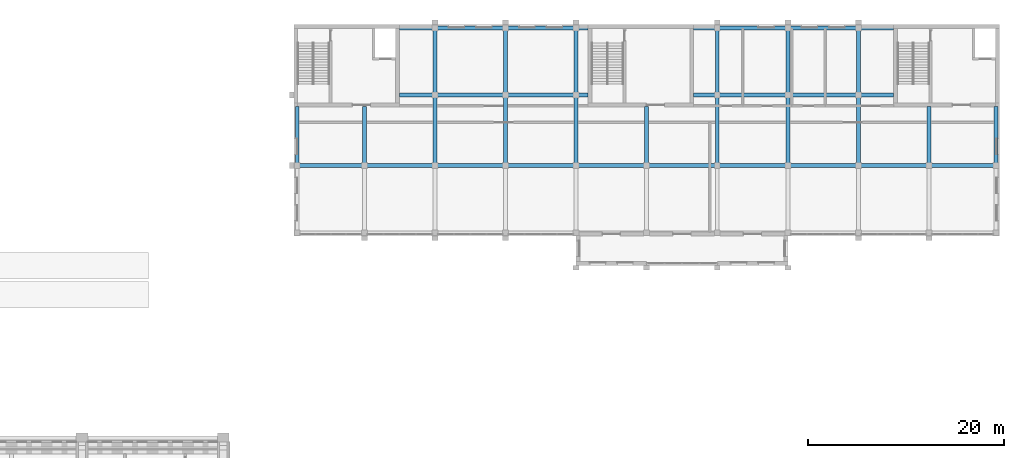
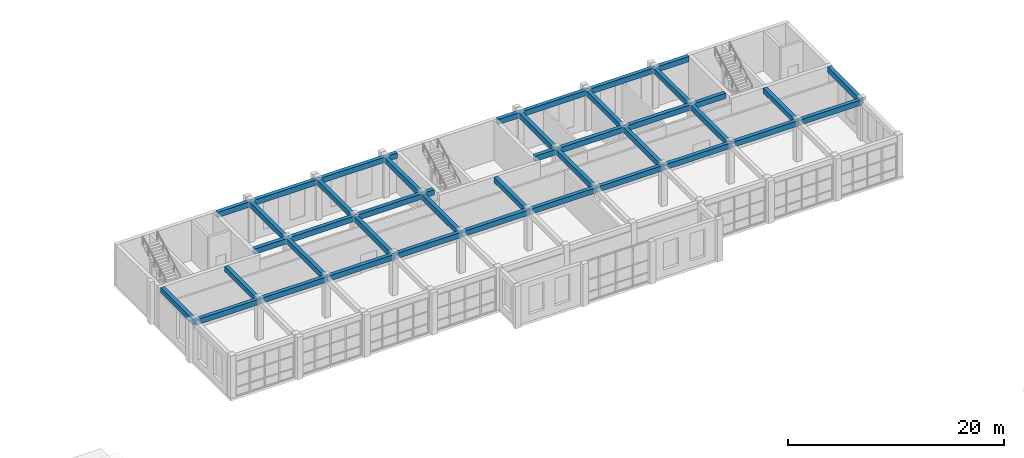
# One storey, part 106 of 149: 43 beams.
"""IFC4 building model written with IfcOpenShell, lengths in metres."""

from ifc_helpers import new_model, si_unit, direction, frame, origin, origin_2d, place, context, subcontext, project, spatial, rectangle, extrude, material, material_profile, profile_set, type_object, element, save


model = new_model("IFC4")

# Units and contexts
model_context = context("Model", 3, precision=1e-05, world=origin(), true_north=direction((0.0, 1.0)))
body_context = subcontext(model_context, "Body", "Model", "MODEL_VIEW")
ifc_project = project(units=[si_unit("LENGTHUNIT", "METRE"), si_unit("AREAUNIT", "SQUARE_METRE"), si_unit("VOLUMEUNIT", "CUBIC_METRE"), si_unit("PLANEANGLEUNIT", "RADIAN"), si_unit("MASSUNIT", "GRAM", prefix="KILO")], contexts=[model_context])

# Site, building, storey
site_placement = place(None, origin())
site = spatial("IfcSite", under=ifc_project, at=site_placement, CompositionType="ELEMENT")
building_placement = place(site_placement, origin())
building = spatial("IfcBuilding", under=site, at=building_placement, Name="Alderwick Market Hall", CompositionType="ELEMENT")
storey_placement = place(building_placement, frame((0.0, 0.0, 9.60009765625)))
storey = spatial("IfcBuildingStorey", under=building, at=storey_placement, Name="L01", CompositionType="ELEMENT", Elevation=9.60009765625)

# Beams
ifc_material = material(Name="Concrete 5000 psi (f'c 35 MPa)", Category="concrete")
ifc_material_profile = material_profile(ifc_material, rectangle(XDim=0.39990234375, YDim=0.60009765625, at=origin_2d()), Name="RC 400x600")
ifc_profile_set = profile_set([ifc_material_profile], Name="Concrete 5000 psi (f'c 35 MPa)")
beam_type = type_object("IfcBeamType", Name="F Floor Beam RC 400x600", PredefinedType="BEAM", material=ifc_profile_set)
beam_1_placement = place(storey_placement, frame((158.75, 136.800048828125, 4.25), z_axis=(1.0, 0.0, 0.0), x_axis=(0.0, 1.0, 0.0)))
element("IfcBeam", 1, at=beam_1_placement, inside=storey, type_object=beam_type, Name="F.beam.L01.011", PredefinedType="BEAM", context=body_context, shape_type="SweptSolid", body=[
    extrude(rectangle(XDim=0.39990234375, YDim=0.60009765625, at=origin_2d()), origin(), (0.0, 0.0, 1.0), 6.85009765625),
])
for number, where, z_axis, x_axis, name in (
    (2, (165.60009765625, 136.800048828125, 4.25), (1.0, 0.0, 0.0), (0.0, 1.0, 0.0), "F.beam.L01.012"),
    (3, (172.800048828125, 136.800048828125, 4.25), (1.0, 0.0, 0.0), (0.0, 1.0, 0.0), "F.beam.L01.013"),
    (4, (180.0, 136.800048828125, 4.25), (1.0, 0.0, 0.0), (0.0, 1.0, 0.0), "F.beam.L01.014"),
    (5, (187.199951171875, 136.800048828125, 4.25), (1.0, 0.0, 0.0), (0.0, 1.0, 0.0), "F.beam.L01.015"),
):
    element("IfcBeam", number, at=place(storey_placement, frame(where, z_axis=z_axis, x_axis=x_axis)), inside=storey, type_object=beam_type, Name=name, PredefinedType="BEAM", context=body_context, shape_type="SweptSolid", body=[
        extrude(rectangle(XDim=0.39990234375, YDim=0.60009765625, at=origin_2d()), origin(), (0.0, 0.0, 1.0), 7.199951171875),
    ])
beam_2_placement = place(storey_placement, frame((194.39990234375, 136.800048828125, 4.25), z_axis=(1.0, 0.0, 0.0), x_axis=(0.0, 1.0, 0.0)))
element("IfcBeam", 6, at=beam_2_placement, inside=storey, type_object=beam_type, Name="F.beam.L01.016", PredefinedType="BEAM", context=body_context, shape_type="SweptSolid", body=[
    extrude(rectangle(XDim=0.39990234375, YDim=0.60009765625, at=origin_2d()), origin(), (0.0, 0.0, 1.0), 7.2001953125),
])
for number, where, z_axis, x_axis, name in (
    (7, (201.60009765625, 136.800048828125, 4.25), (1.0, 0.0, 0.0), (0.0, 1.0, 0.0), "F.beam.L01.017"),
    (8, (208.800048828125, 136.800048828125, 4.25), (1.0, 0.0, 0.0), (0.0, 1.0, 0.0), "F.beam.L01.018"),
    (9, (216.0, 136.800048828125, 4.25), (1.0, 0.0, 0.0), (0.0, 1.0, 0.0), "F.beam.L01.019"),
):
    element("IfcBeam", number, at=place(storey_placement, frame(where, z_axis=z_axis, x_axis=x_axis)), inside=storey, type_object=beam_type, Name=name, PredefinedType="BEAM", context=body_context, shape_type="SweptSolid", body=[
        extrude(rectangle(XDim=0.39990234375, YDim=0.60009765625, at=origin_2d()), origin(), (0.0, 0.0, 1.0), 7.199951171875),
    ])
beam_3_placement = place(storey_placement, frame((223.199951171875, 136.800048828125, 4.25), z_axis=(1.0, 0.0, 0.0), x_axis=(0.0, 1.0, 0.0)))
element("IfcBeam", 10, at=beam_3_placement, inside=storey, type_object=beam_type, Name="F.beam.L01.020", PredefinedType="BEAM", context=body_context, shape_type="SweptSolid", body=[
    extrude(rectangle(XDim=0.39990234375, YDim=0.60009765625, at=origin_2d()), origin(), (0.0, 0.0, 1.0), 6.85009765625),
])
beam_4_placement = place(storey_placement, frame((169.198974609375, 144.0, 4.25), z_axis=(1.0, 0.0, 0.0), x_axis=(0.0, 1.0, 0.0)))
element("IfcBeam", 11, at=beam_4_placement, inside=storey, type_object=beam_type, Name="F.beam.L01.021", PredefinedType="BEAM", context=body_context, shape_type="SweptSolid", body=[
    extrude(rectangle(XDim=0.39990234375, YDim=0.60009765625, at=origin_2d()), origin(), (0.0, 0.0, 1.0), 3.60107421875),
])
for number, where, z_axis, x_axis, name in (
    (12, (172.800048828125, 144.0, 4.25), (1.0, 0.0, 0.0), (0.0, 1.0, 0.0), "F.beam.L01.022"),
    (13, (180.0, 144.0, 4.25), (1.0, 0.0, 0.0), (0.0, 1.0, 0.0), "F.beam.L01.023"),
):
    element("IfcBeam", number, at=place(storey_placement, frame(where, z_axis=z_axis, x_axis=x_axis)), inside=storey, type_object=beam_type, Name=name, PredefinedType="BEAM", context=body_context, shape_type="SweptSolid", body=[
        extrude(rectangle(XDim=0.39990234375, YDim=0.60009765625, at=origin_2d()), origin(), (0.0, 0.0, 1.0), 7.199951171875),
    ])
beam_5_placement = place(storey_placement, frame((187.199951171875, 144.0, 4.25), z_axis=(1.0, 0.0, 0.0), x_axis=(0.0, 1.0, 0.0)))
element("IfcBeam", 14, at=beam_5_placement, inside=storey, type_object=beam_type, Name="F.beam.L01.024", PredefinedType="BEAM", context=body_context, shape_type="SweptSolid", body=[
    extrude(rectangle(XDim=0.39990234375, YDim=0.60009765625, at=origin_2d()), origin(), (0.0, 0.0, 1.0), 1.200927734375),
])
beam_6_placement = place(storey_placement, frame((199.198974609375, 144.0, 4.25), z_axis=(1.0, 0.0, 0.0), x_axis=(0.0, 1.0, 0.0)))
element("IfcBeam", 15, at=beam_6_placement, inside=storey, type_object=beam_type, Name="F.beam.L01.025", PredefinedType="BEAM", context=body_context, shape_type="SweptSolid", body=[
    extrude(rectangle(XDim=0.39990234375, YDim=0.60009765625, at=origin_2d()), origin(), (0.0, 0.0, 1.0), 2.401123046875),
])
for number, where, z_axis, x_axis, name in (
    (16, (201.60009765625, 144.0, 4.25), (1.0, 0.0, 0.0), (0.0, 1.0, 0.0), "F.beam.L01.026"),
    (17, (208.800048828125, 144.0, 4.25), (1.0, 0.0, 0.0), (0.0, 1.0, 0.0), "F.beam.L01.027"),
):
    element("IfcBeam", number, at=place(storey_placement, frame(where, z_axis=z_axis, x_axis=x_axis)), inside=storey, type_object=beam_type, Name=name, PredefinedType="BEAM", context=body_context, shape_type="SweptSolid", body=[
        extrude(rectangle(XDim=0.39990234375, YDim=0.60009765625, at=origin_2d()), origin(), (0.0, 0.0, 1.0), 7.199951171875),
    ])
for number, where, z_axis, x_axis, name in (
    (18, (216.0, 144.0, 4.25), (1.0, 0.0, 0.0), (0.0, 1.0, 0.0), "F.beam.L01.028"),
    (19, (169.198974609375, 150.85009765625, 4.25), (1.0, 0.0, 0.0), (0.0, 1.0, 0.0), "F.beam.L01.029"),
):
    element("IfcBeam", number, at=place(storey_placement, frame(where, z_axis=z_axis, x_axis=x_axis)), inside=storey, type_object=beam_type, Name=name, PredefinedType="BEAM", context=body_context, shape_type="SweptSolid", body=[
        extrude(rectangle(XDim=0.39990234375, YDim=0.60009765625, at=origin_2d()), origin(), (0.0, 0.0, 1.0), 3.60107421875),
    ])
for number, where, z_axis, x_axis, name in (
    (20, (172.800048828125, 150.85009765625, 4.25), (1.0, 0.0, 0.0), (0.0, 1.0, 0.0), "F.beam.L01.030"),
    (21, (180.0, 150.85009765625, 4.25), (1.0, 0.0, 0.0), (0.0, 1.0, 0.0), "F.beam.L01.031"),
):
    element("IfcBeam", number, at=place(storey_placement, frame(where, z_axis=z_axis, x_axis=x_axis)), inside=storey, type_object=beam_type, Name=name, PredefinedType="BEAM", context=body_context, shape_type="SweptSolid", body=[
        extrude(rectangle(XDim=0.39990234375, YDim=0.60009765625, at=origin_2d()), origin(), (0.0, 0.0, 1.0), 7.199951171875),
    ])
beam_7_placement = place(storey_placement, frame((187.199951171875, 150.85009765625, 4.25), z_axis=(1.0, 0.0, 0.0), x_axis=(0.0, 1.0, 0.0)))
element("IfcBeam", 22, at=beam_7_placement, inside=storey, type_object=beam_type, Name="F.beam.L01.032", PredefinedType="BEAM", context=body_context, shape_type="SweptSolid", body=[
    extrude(rectangle(XDim=0.39990234375, YDim=0.60009765625, at=origin_2d()), origin(), (0.0, 0.0, 1.0), 1.200927734375),
])
beam_8_placement = place(storey_placement, frame((199.198974609375, 150.85009765625, 4.25), z_axis=(1.0, 0.0, 0.0), x_axis=(0.0, 1.0, 0.0)))
element("IfcBeam", 23, at=beam_8_placement, inside=storey, type_object=beam_type, Name="F.beam.L01.033", PredefinedType="BEAM", context=body_context, shape_type="SweptSolid", body=[
    extrude(rectangle(XDim=0.39990234375, YDim=0.60009765625, at=origin_2d()), origin(), (0.0, 0.0, 1.0), 2.401123046875),
])
for number, where, z_axis, x_axis, name in (
    (24, (201.60009765625, 150.85009765625, 4.25), (1.0, 0.0, 0.0), (0.0, 1.0, 0.0), "F.beam.L01.034"),
    (25, (208.800048828125, 150.85009765625, 4.25), (1.0, 0.0, 0.0), (0.0, 1.0, 0.0), "F.beam.L01.035"),
):
    element("IfcBeam", number, at=place(storey_placement, frame(where, z_axis=z_axis, x_axis=x_axis)), inside=storey, type_object=beam_type, Name=name, PredefinedType="BEAM", context=body_context, shape_type="SweptSolid", body=[
        extrude(rectangle(XDim=0.39990234375, YDim=0.60009765625, at=origin_2d()), origin(), (0.0, 0.0, 1.0), 7.199951171875),
    ])
beam_9_placement = place(storey_placement, frame((216.0, 150.85009765625, 4.25), z_axis=(1.0, 0.0, 0.0), x_axis=(0.0, 1.0, 0.0)))
element("IfcBeam", 26, at=beam_9_placement, inside=storey, type_object=beam_type, Name="F.beam.L01.036", PredefinedType="BEAM", context=body_context, shape_type="SweptSolid", body=[
    extrude(rectangle(XDim=0.39990234375, YDim=0.60009765625, at=origin_2d()), origin(), (0.0, 0.0, 1.0), 3.60107421875),
])
for number, where, z_axis, x_axis, name in (
    (27, (158.75, 136.800048828125, 4.25), (0.0, 1.0, 0.0), (-1.0, 0.0, 0.0), "F.beam.L01.038"),
    (28, (165.60009765625, 136.800048828125, 4.25), (0.0, 1.0, 0.0), (-1.0, 0.0, 0.0), "F.beam.L01.040"),
):
    element("IfcBeam", number, at=place(storey_placement, frame(where, z_axis=z_axis, x_axis=x_axis)), inside=storey, type_object=beam_type, Name=name, PredefinedType="BEAM", context=body_context, shape_type="SweptSolid", body=[
        extrude(rectangle(XDim=0.39990234375, YDim=0.60009765625, at=origin_2d()), origin(), (0.0, 0.0, 1.0), 6.0009765625),
    ])
beam_10_placement = place(storey_placement, frame((172.800048828125, 136.800048828125, 4.25), z_axis=(0.0, 1.0, 0.0), x_axis=(-1.0, 0.0, 0.0)))
element("IfcBeam", 29, at=beam_10_placement, inside=storey, type_object=beam_type, Name="F.beam.L01.042", PredefinedType="BEAM", context=body_context, shape_type="SweptSolid", body=[
    extrude(rectangle(XDim=0.39990234375, YDim=0.60009765625, at=origin_2d()), origin(), (0.0, 0.0, 1.0), 7.199951171875),
])
beam_11_placement = place(storey_placement, frame((172.800048828125, 144.0, 4.25), z_axis=(0.0, 1.0, 0.0), x_axis=(-1.0, 0.0, 0.0)))
element("IfcBeam", 30, at=beam_11_placement, inside=storey, type_object=beam_type, Name="F.beam.L01.043", PredefinedType="BEAM", context=body_context, shape_type="SweptSolid", body=[
    extrude(rectangle(XDim=0.39990234375, YDim=0.60009765625, at=origin_2d()), origin(), (0.0, 0.0, 1.0), 6.85009765625),
])
beam_12_placement = place(storey_placement, frame((180.0, 136.800048828125, 4.25), z_axis=(0.0, 1.0, 0.0), x_axis=(-1.0, 0.0, 0.0)))
element("IfcBeam", 31, at=beam_12_placement, inside=storey, type_object=beam_type, Name="F.beam.L01.045", PredefinedType="BEAM", context=body_context, shape_type="SweptSolid", body=[
    extrude(rectangle(XDim=0.39990234375, YDim=0.60009765625, at=origin_2d()), origin(), (0.0, 0.0, 1.0), 7.199951171875),
])
beam_13_placement = place(storey_placement, frame((180.0, 144.0, 4.25), z_axis=(0.0, 1.0, 0.0), x_axis=(-1.0, 0.0, 0.0)))
element("IfcBeam", 32, at=beam_13_placement, inside=storey, type_object=beam_type, Name="F.beam.L01.046", PredefinedType="BEAM", context=body_context, shape_type="SweptSolid", body=[
    extrude(rectangle(XDim=0.39990234375, YDim=0.60009765625, at=origin_2d()), origin(), (0.0, 0.0, 1.0), 6.85009765625),
])
beam_14_placement = place(storey_placement, frame((187.199951171875, 136.800048828125, 4.25), z_axis=(0.0, 1.0, 0.0), x_axis=(-1.0, 0.0, 0.0)))
element("IfcBeam", 33, at=beam_14_placement, inside=storey, type_object=beam_type, Name="F.beam.L01.048", PredefinedType="BEAM", context=body_context, shape_type="SweptSolid", body=[
    extrude(rectangle(XDim=0.39990234375, YDim=0.60009765625, at=origin_2d()), origin(), (0.0, 0.0, 1.0), 7.199951171875),
])
beam_15_placement = place(storey_placement, frame((187.199951171875, 144.0, 4.25), z_axis=(0.0, 1.0, 0.0), x_axis=(-1.0, 0.0, 0.0)))
element("IfcBeam", 34, at=beam_15_placement, inside=storey, type_object=beam_type, Name="F.beam.L01.049", PredefinedType="BEAM", context=body_context, shape_type="SweptSolid", body=[
    extrude(rectangle(XDim=0.39990234375, YDim=0.60009765625, at=origin_2d()), origin(), (0.0, 0.0, 1.0), 6.85009765625),
])
beam_16_placement = place(storey_placement, frame((194.39990234375, 136.800048828125, 4.25), z_axis=(0.0, 1.0, 0.0), x_axis=(-1.0, 0.0, 0.0)))
element("IfcBeam", 35, at=beam_16_placement, inside=storey, type_object=beam_type, Name="F.beam.L01.051", PredefinedType="BEAM", context=body_context, shape_type="SweptSolid", body=[
    extrude(rectangle(XDim=0.39990234375, YDim=0.60009765625, at=origin_2d()), origin(), (0.0, 0.0, 1.0), 6.0009765625),
])
beam_17_placement = place(storey_placement, frame((201.60009765625, 136.800048828125, 4.25), z_axis=(0.0, 1.0, 0.0), x_axis=(-1.0, 0.0, 0.0)))
element("IfcBeam", 36, at=beam_17_placement, inside=storey, type_object=beam_type, Name="F.beam.L01.053", PredefinedType="BEAM", context=body_context, shape_type="SweptSolid", body=[
    extrude(rectangle(XDim=0.39990234375, YDim=0.60009765625, at=origin_2d()), origin(), (0.0, 0.0, 1.0), 7.199951171875),
])
beam_18_placement = place(storey_placement, frame((201.60009765625, 144.0, 4.25), z_axis=(0.0, 1.0, 0.0), x_axis=(-1.0, 0.0, 0.0)))
element("IfcBeam", 37, at=beam_18_placement, inside=storey, type_object=beam_type, Name="F.beam.L01.054", PredefinedType="BEAM", context=body_context, shape_type="SweptSolid", body=[
    extrude(rectangle(XDim=0.39990234375, YDim=0.60009765625, at=origin_2d()), origin(), (0.0, 0.0, 1.0), 6.85009765625),
])
beam_19_placement = place(storey_placement, frame((208.800048828125, 136.800048828125, 4.25), z_axis=(0.0, 1.0, 0.0), x_axis=(-1.0, 0.0, 0.0)))
element("IfcBeam", 38, at=beam_19_placement, inside=storey, type_object=beam_type, Name="F.beam.L01.056", PredefinedType="BEAM", context=body_context, shape_type="SweptSolid", body=[
    extrude(rectangle(XDim=0.39990234375, YDim=0.60009765625, at=origin_2d()), origin(), (0.0, 0.0, 1.0), 7.199951171875),
])
beam_20_placement = place(storey_placement, frame((208.800048828125, 144.0, 4.25), z_axis=(0.0, 1.0, 0.0), x_axis=(-1.0, 0.0, 0.0)))
element("IfcBeam", 39, at=beam_20_placement, inside=storey, type_object=beam_type, Name="F.beam.L01.057", PredefinedType="BEAM", context=body_context, shape_type="SweptSolid", body=[
    extrude(rectangle(XDim=0.39990234375, YDim=0.60009765625, at=origin_2d()), origin(), (0.0, 0.0, 1.0), 6.85009765625),
])
beam_21_placement = place(storey_placement, frame((216.0, 136.800048828125, 4.25), z_axis=(0.0, 1.0, 0.0), x_axis=(-1.0, 0.0, 0.0)))
element("IfcBeam", 40, at=beam_21_placement, inside=storey, type_object=beam_type, Name="F.beam.L01.059", PredefinedType="BEAM", context=body_context, shape_type="SweptSolid", body=[
    extrude(rectangle(XDim=0.39990234375, YDim=0.60009765625, at=origin_2d()), origin(), (0.0, 0.0, 1.0), 7.199951171875),
])
beam_22_placement = place(storey_placement, frame((216.0, 144.0, 4.25), z_axis=(0.0, 1.0, 0.0), x_axis=(-1.0, 0.0, 0.0)))
element("IfcBeam", 41, at=beam_22_placement, inside=storey, type_object=beam_type, Name="F.beam.L01.060", PredefinedType="BEAM", context=body_context, shape_type="SweptSolid", body=[
    extrude(rectangle(XDim=0.39990234375, YDim=0.60009765625, at=origin_2d()), origin(), (0.0, 0.0, 1.0), 6.85009765625),
])
for number, where, z_axis, x_axis, name in (
    (42, (223.199951171875, 136.800048828125, 4.25), (0.0, 1.0, 0.0), (-1.0, 0.0, 0.0), "F.beam.L01.062"),
    (43, (230.050048828125, 136.800048828125, 4.25), (0.0, 1.0, 0.0), (-1.0, 0.0, 0.0), "F.beam.L01.064"),
):
    element("IfcBeam", number, at=place(storey_placement, frame(where, z_axis=z_axis, x_axis=x_axis)), inside=storey, type_object=beam_type, Name=name, PredefinedType="BEAM", context=body_context, shape_type="SweptSolid", body=[
        extrude(rectangle(XDim=0.39990234375, YDim=0.60009765625, at=origin_2d()), origin(), (0.0, 0.0, 1.0), 6.0009765625),
    ])

save(model, "model.ifc")
